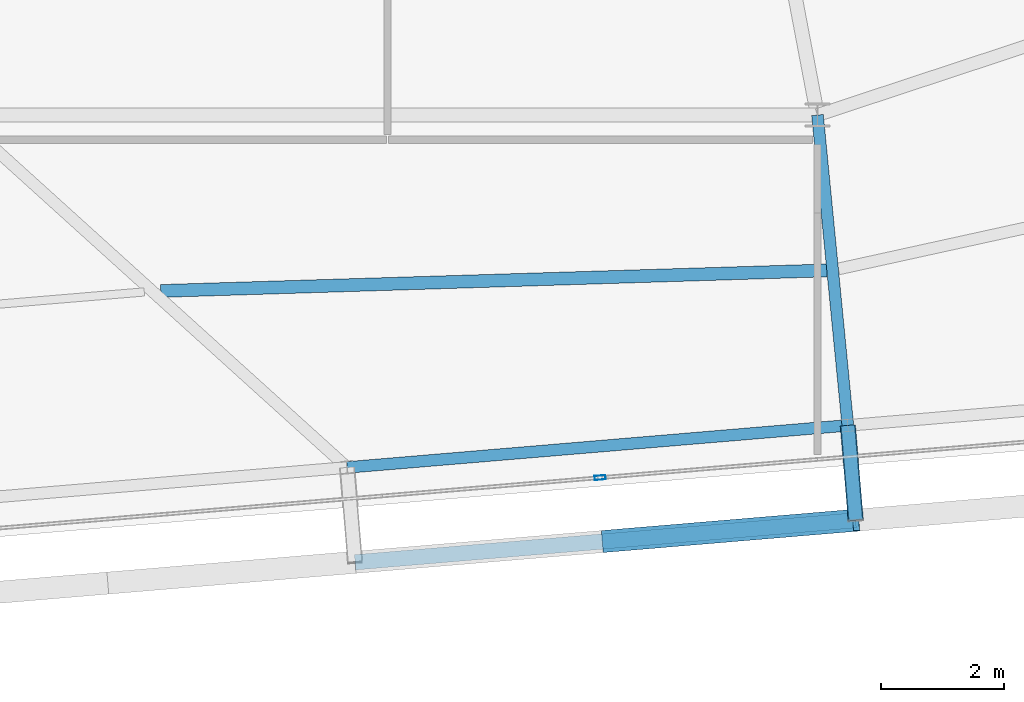
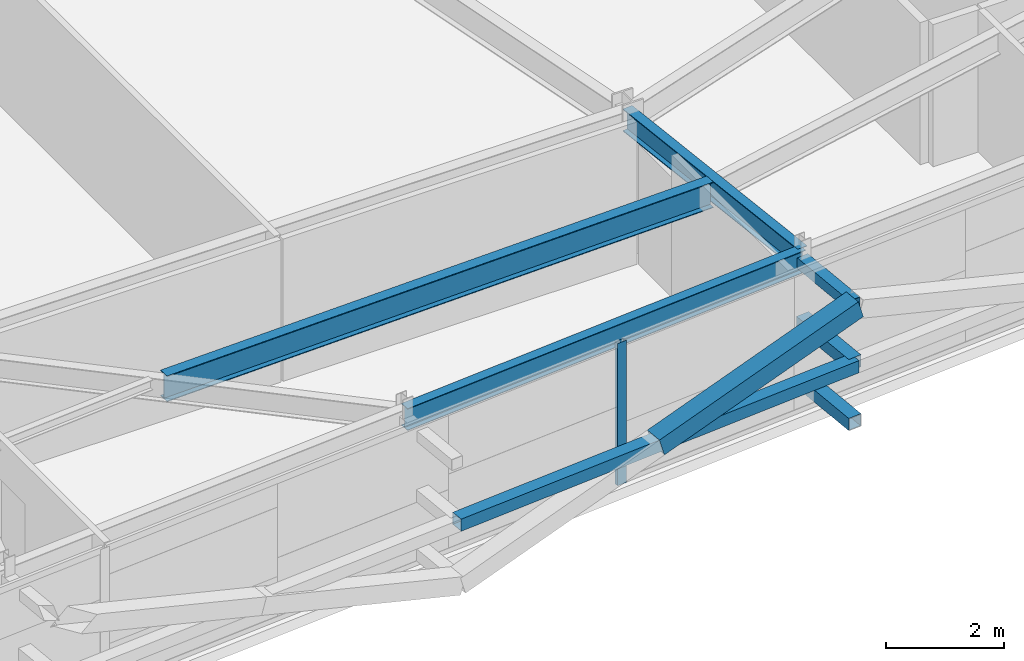
# One storey, part 10 of 39: 6 members, 3 beams, 1 element without a shape of its own.
"""IFC4 building model written with IfcOpenShell, lengths in metres."""

import ifcopenshell
import ifcopenshell.guid

model = None  # the IFC model being written
_history = None  # IfcOwnerHistory: only IFC2X3 demands one
_inside = {}  # id of a spatial element -> (the spatial element, [elements in it])
_under = {}  # id of a project, library or spatial element -> (it, [spatial elements below it])
_declared = {}  # id of a project -> (the project, [libraries it declares])
_typed = {}  # id of a type object -> (the type object, [elements of that type])
_made_of = {}  # id of a material, layer set ... -> (it, [elements and type objects made of it])


def new_model(schema):
    """Start an empty IFC model of exactly this schema.

    Asked for "IFC4X3", IfcOpenShell would pick the latest addendum, in which some entities
    have other attributes; the version numbers below select the first issue.
    IFC2X3 requires an IfcOwnerHistory on every rooted entity: one is made here for all.
    """
    global model, _history
    if schema == "IFC4X3":
        model = ifcopenshell.file(schema_version=(4, 3, 0, 0))
    else:
        model = ifcopenshell.file(schema=schema)
    _inside.clear()
    _under.clear()
    _declared.clear()
    _typed.clear()
    _made_of.clear()
    _history = None
    if model.schema == "IFC2X3":
        org = make("IfcOrganization", Name="unknown")
        user = make(
            "IfcPersonAndOrganization",
            ThePerson=make("IfcPerson", FamilyName="unknown"),
            TheOrganization=org,
        )
        app = make(
            "IfcApplication",
            ApplicationDeveloper=org,
            Version="unknown",
            ApplicationFullName="unknown",
            ApplicationIdentifier="unknown",
        )
        _history = make(
            "IfcOwnerHistory",
            OwningUser=user,
            OwningApplication=app,
            ChangeAction="ADDED",
            CreationDate=0,
        )
    return model


def make(cls, **values):
    """One entity of the class cls with the attributes given. An attribute that is None is left unset."""
    return model.create_entity(
        cls, **{name: value for name, value in values.items() if value is not None}
    )


def rooted(cls, **values):
    """An entity with a GlobalId (a new one), such as an element, a storey or a relation."""
    return make(cls, GlobalId=ifcopenshell.guid.new(), OwnerHistory=_history, **values)


def si_unit(unit_type, name, prefix=None):
    """IfcSIUnit, for example si_unit("LENGTHUNIT", "METRE", prefix="MILLI")."""
    return make("IfcSIUnit", UnitType=unit_type, Prefix=prefix, Name=name)


def assignment(units):
    """IfcUnitAssignment: the units of a project."""
    return None if units is None else make("IfcUnitAssignment", Units=units)


def point(xyz):
    """IfcCartesianPoint."""
    return None if xyz is None else make("IfcCartesianPoint", Coordinates=xyz)


def direction(xyz):
    """IfcDirection."""
    return None if xyz is None else make("IfcDirection", DirectionRatios=xyz)


def frame(location, z_axis=None, x_axis=None):
    """IfcAxis2Placement3D, a coordinate frame: its origin and axes. An axis left out is left unset."""
    return make(
        "IfcAxis2Placement3D",
        Location=point(location),
        Axis=direction(z_axis),
        RefDirection=direction(x_axis),
    )


def frame_2d(location, x_axis=None):
    """IfcAxis2Placement2D, a coordinate frame in the plane: its origin and x axis."""
    return make(
        "IfcAxis2Placement2D", Location=point(location), RefDirection=direction(x_axis)
    )


def origin():
    """The frame at (0, 0, 0) with its axes left unset."""
    return frame((0.0, 0.0, 0.0))


def origin_2d():
    """The frame at (0, 0) in the plane with its x axis left unset."""
    return frame_2d((0.0, 0.0))


def place(relative_to, where):
    """IfcLocalPlacement: puts the frame where relative to a parent placement (None: the world)."""
    return make(
        "IfcLocalPlacement", PlacementRelTo=relative_to, RelativePlacement=where
    )


def context(
    kind, dimensions, precision=None, world=None, true_north=None, identifier=None
):
    """IfcGeometricRepresentationContext, for example the 3D "Model" context."""
    return make(
        "IfcGeometricRepresentationContext",
        ContextIdentifier=identifier,
        ContextType=kind,
        CoordinateSpaceDimension=dimensions,
        Precision=precision,
        WorldCoordinateSystem=world,
        TrueNorth=true_north,
    )


def subcontext(parent, identifier, kind, view, scale=None):
    """IfcGeometricRepresentationSubContext, for example "Body" below "Model"."""
    return make(
        "IfcGeometricRepresentationSubContext",
        ContextIdentifier=identifier,
        ContextType=kind,
        ParentContext=parent,
        TargetScale=scale,
        TargetView=view,
    )


def project(units=None, contexts=None):
    """IfcProject with its units and contexts."""
    return rooted(
        "IfcProject",
        Name="project",
        RepresentationContexts=contexts,
        UnitsInContext=assignment(units),
    )


def spatial(cls, under=None, at=None, **own):
    """A site, building, storey or space (cls), placed at a placement, below another one or the project."""
    s = rooted(cls, ObjectPlacement=at, **own)
    if under is not None:
        _under.setdefault(under.id(), (under, []))[1].append(s)
    return s


def profile(cls, at=None, kind="AREA", **sizes):
    """A parametric profile (cls). Its sizes go by their IFC names, for example OverallWidth=200.0."""
    return make(cls, ProfileType=kind, Position=at, **sizes)


def hollow_rectangle(**sizes):
    """IfcRectangleHollowProfileDef."""
    return profile("IfcRectangleHollowProfileDef", **sizes)


def i_section(**sizes):
    """IfcIShapeProfileDef."""
    return profile("IfcIShapeProfileDef", **sizes)


def extrude(swept, where, along, depth):
    """IfcExtrudedAreaSolid: the profile swept, set in the frame where, extruded along a direction by depth."""
    return make(
        "IfcExtrudedAreaSolid",
        SweptArea=swept,
        Position=where,
        ExtrudedDirection=direction(along),
        Depth=depth,
    )


def shape(context_of_items, identifier, shape_type, items):
    """IfcShapeRepresentation: the items that make up one representation, for example the "Body"."""
    return make(
        "IfcShapeRepresentation",
        ContextOfItems=context_of_items,
        RepresentationIdentifier=identifier,
        RepresentationType=shape_type,
        Items=items,
    )


def source(mapping_origin, context_of_items, identifier, shape_type, items):
    """IfcRepresentationMap: a shape defined once, which mapped items show again and again."""
    return make(
        "IfcRepresentationMap",
        MappingOrigin=mapping_origin,
        MappedRepresentation=shape(context_of_items, identifier, shape_type, items),
    )


def transform(
    local_origin,
    x_axis=None,
    y_axis=None,
    z_axis=None,
    scale=None,
    scale2=None,
    scale3=None,
    uniform=True,
):
    """IfcCartesianTransformationOperator3D, or its non-uniform kind. x_axis, y_axis, z_axis: its Axis1, 2, 3."""
    if uniform:
        return make(
            "IfcCartesianTransformationOperator3D",
            Axis1=direction(x_axis),
            Axis2=direction(y_axis),
            LocalOrigin=point(local_origin),
            Scale=scale,
            Axis3=direction(z_axis),
        )
    return make(
        "IfcCartesianTransformationOperator3DnonUniform",
        Axis1=direction(x_axis),
        Axis2=direction(y_axis),
        LocalOrigin=point(local_origin),
        Scale=scale,
        Axis3=direction(z_axis),
        Scale2=scale2,
        Scale3=scale3,
    )


def mapped(mapping_source, mapping_target):
    """IfcMappedItem: shows the shape of a source again, moved by a transform."""
    return make(
        "IfcMappedItem", MappingSource=mapping_source, MappingTarget=mapping_target
    )


def material(Name=None, Category=None):
    """IfcMaterial."""
    return make("IfcMaterial", Name=Name, Category=Category)


def layer(
    of_material, thickness, ventilated=None, Name=None, Category=None, Priority=None
):
    """IfcMaterialLayer: one layer of a wall or slab, of a material (None: an air gap)."""
    return make(
        "IfcMaterialLayer",
        Material=of_material,
        LayerThickness=thickness,
        IsVentilated=ventilated,
        Name=Name,
        Category=Category,
        Priority=Priority,
    )


def layer_set(layers, Name=None):
    """IfcMaterialLayerSet."""
    return make("IfcMaterialLayerSet", MaterialLayers=layers, LayerSetName=Name)


def material_profile(
    of_material, cross_section, Name=None, Category=None, Priority=None
):
    """IfcMaterialProfile: a cross section and its material."""
    return make(
        "IfcMaterialProfile",
        Name=Name,
        Material=of_material,
        Profile=cross_section,
        Priority=Priority,
        Category=Category,
    )


def profile_set(profiles, Name=None, composite=None):
    """IfcMaterialProfileSet."""
    return make(
        "IfcMaterialProfileSet",
        Name=Name,
        MaterialProfiles=profiles,
        CompositeProfile=composite,
    )


def made_of(thing, what):
    """Note that an element or type object is made of a material, layer set ...; save() writes the relation."""
    if what is not None:
        _made_of.setdefault(what.id(), (what, []))[1].append(thing)
    return thing


def type_object(cls, material=None, **own):
    """A type object (cls), such as IfcWallType, which elements share."""
    return made_of(rooted(cls, **own), material)


def element(
    cls,
    number,
    at=None,
    inside=None,
    cuts=None,
    type_object=None,
    material=None,
    context=None,
    identifier="Body",
    shape_type=None,
    held_by="IfcProductDefinitionShape",
    body=None,
    shapes=None,
    **own,
):
    """One element of the class cls, such as IfcWall. Its Tag is "e" and its number.

    at: its placement. inside: the storey or other place that contains it. cuts: it is an
    opening in that element (IfcRelVoidsElement). A single representation is given by context,
    identifier, shape_type and body (its items); several are given by shapes. held_by: the class
    of the entity that holds the representations. save() writes the other relations.
    """
    e = rooted(cls, Tag="e%d" % number, ObjectPlacement=at, **own)
    if body is not None:
        shapes = [shape(context, identifier, shape_type, body)]
    if shapes is not None:
        e.Representation = make(held_by, Representations=shapes)
    if inside is not None:
        _inside.setdefault(inside.id(), (inside, []))[1].append(e)
    if cuts is not None:
        rooted(
            "IfcRelVoidsElement", RelatingBuildingElement=cuts, RelatedOpeningElement=e
        )
    if type_object is not None:
        _typed.setdefault(type_object.id(), (type_object, []))[1].append(e)
    return made_of(e, material)


def aggregate(whole, parts):
    """IfcRelAggregates: a whole, such as a stair, and the parts it consists of."""
    return rooted("IfcRelAggregates", RelatingObject=whole, RelatedObjects=parts)


def save(model, path):
    """Write the relations noted so far, then the file.

    IfcRelAggregates (storeys below a building ...), IfcRelContainedInSpatialStructure (elements
    in a storey), IfcRelDefinesByType, IfcRelAssociatesMaterial and IfcRelDeclares: one each for
    every whole, place, type object, material and project.
    """
    for whole, parts in _under.values():
        aggregate(whole, parts)
    for where, things in _inside.values():
        rooted(
            "IfcRelContainedInSpatialStructure",
            RelatedElements=things,
            RelatingStructure=where,
        )
    for kind, things in _typed.values():
        rooted("IfcRelDefinesByType", RelatedObjects=things, RelatingType=kind)
    for what, things in _made_of.values():
        rooted("IfcRelAssociatesMaterial", RelatedObjects=things, RelatingMaterial=what)
    for by, libraries in _declared.values():
        rooted("IfcRelDeclares", RelatingContext=by, RelatedDefinitions=libraries)
    model.write(path)


model = new_model("IFC4")

# Units and contexts
model_context = context("Model", 3, precision=1e-05, world=origin(), true_north=direction((0.0, 1.0)))
body_context = subcontext(model_context, "Body", "Model", "MODEL_VIEW")
ifc_project = project(units=[si_unit("LENGTHUNIT", "METRE"), si_unit("AREAUNIT", "SQUARE_METRE"), si_unit("VOLUMEUNIT", "CUBIC_METRE"), si_unit("PLANEANGLEUNIT", "RADIAN"), si_unit("MASSUNIT", "GRAM", prefix="KILO")], contexts=[model_context])

# Site, building, storey
site_placement = place(None, origin())
site = spatial("IfcSite", under=ifc_project, at=site_placement, CompositionType="ELEMENT")
building_placement = place(site_placement, origin())
building = spatial("IfcBuilding", under=site, at=building_placement, Name="Taldren Reach Tower", CompositionType="ELEMENT")
storey_placement = place(building_placement, frame((0.0, 0.0, 197.75)))
storey = spatial("IfcBuildingStorey", under=building, at=storey_placement, Name="L60", CompositionType="ELEMENT", Elevation=197.75)

# Members
ifc_material_1 = material(Name="Steel Gr 350 (C350L0)", Category="steel")
ifc_material_profile_1 = material_profile(ifc_material_1, hollow_rectangle(XDim=0.25, YDim=0.25, WallThickness=0.010009765625, at=origin_2d()), Name="250x250x10.0SHS")
ifc_profile_set_1 = profile_set([ifc_material_profile_1], Name="Steel Gr 350 (C350L0)")
member_type_1 = type_object("IfcMemberType", Name="MB-POST250", PredefinedType="POST", material=ifc_profile_set_1)
shared_shape_1 = source(origin(), body_context, "Body", "SweptSolid", [
    extrude(hollow_rectangle(XDim=0.25, YDim=0.25, WallThickness=0.010009765625, at=origin_2d()), origin(), (0.0, 0.0, 1.0), 1.5498046875),
])
for number, where, z_axis, x_axis, name in (
    (1, (42.49365234375, 4.1474609375, 0.219970703125), (0.083645141657, -0.996495604746, 0.0), (0.996495604746, 0.083645141657, 0.0), "Exoskeleton base diaphragm tie strut B4-S4 L60"),
    (2, (42.49365234375, 4.1474609375, 1.43505859375), (0.083645141657, -0.996495604746, 0.0), (0.996495604746, 0.083645141657, 0.0), "Exoskeleton mid-tier diaphragm tie B4-S4 L60"),
):
    element("IfcMember", number, at=place(storey_placement, frame(where, z_axis=z_axis, x_axis=x_axis)), inside=storey, type_object=member_type_1, Name=name, PredefinedType="POST", context=body_context, shape_type="MappedRepresentation", body=[
        mapped(shared_shape_1, transform((0.0, 0.0, 0.0), scale=1.0)),
    ])

# Beams
ifc_material_2 = material(Name="Steel Gr 350 (350PLUS)", Category="steel")
ifc_material_profile_2 = material_profile(ifc_material_2, i_section(OverallWidth=0.18994140625, OverallDepth=0.4541015625, WebThickness=0.008544921875, FlangeThickness=0.0126953125, at=origin_2d()), Name="460UB67.1")
ifc_profile_set_2 = profile_set([ifc_material_profile_2], Name="Steel Gr 350 (350PLUS)")
beam_type_1 = type_object("IfcBeamType", Name="SP-UB460B", PredefinedType="SPANDREL", material=ifc_profile_set_2)
shared_shape_2 = source(origin(), body_context, "Body", "SweptSolid", [
    extrude(i_section(OverallWidth=0.18994140625, OverallDepth=0.4541015625, WebThickness=0.008544921875, FlangeThickness=0.0126953125, at=origin_2d()), origin(), (0.0, 0.0, 1.0), 8.18017578125),
])
beam_1_placement = place(storey_placement, frame((34.34228515625, 3.462890625, 2.702880859375), z_axis=(0.996492034688, 0.083687662192, 0.0), x_axis=(-0.083687662192, 0.996492034688, 0.0)))
element("IfcBeam", 3, at=beam_1_placement, inside=storey, type_object=beam_type_1, Name="Perimeter spandrel B4 S3-S4 L60", PredefinedType="SPANDREL", context=body_context, shape_type="MappedRepresentation", body=[
    mapped(shared_shape_2, transform((0.0, 0.0, 0.0), scale=1.0)),
])
ifc_material_profile_3 = material_profile(ifc_material_2, i_section(OverallWidth=0.19091796875, OverallDepth=0.4599609375, WebThickness=0.010009765625, FlangeThickness=0.01611328125, at=origin_2d()), Name="460UB82.1")
ifc_profile_set_3 = profile_set([ifc_material_profile_3], Name="Steel Gr 350 (350PLUS)")
beam_type_2 = type_object("IfcBeamType", Name="BM-UB460A", PredefinedType="BEAM", material=ifc_profile_set_3)
shared_shape_3 = source(origin(), body_context, "Body", "SweptSolid", [
    extrude(i_section(OverallWidth=0.19091796875, OverallDepth=0.4599609375, WebThickness=0.010009765625, FlangeThickness=0.01611328125, at=origin_2d()), origin(), (0.0, 0.0, 1.0), 5.07666015625),
])
beam_2_placement = place(storey_placement, frame((42.0, 9.199951171875, 2.699951171875), z_axis=(0.097241716644, -0.995260794236, 0.0), x_axis=(0.995260794236, 0.097241716644, 0.0)))
element("IfcBeam", 4, at=beam_2_placement, inside=storey, type_object=beam_type_2, Name="Primary floor girder B4-S4 L60", PredefinedType="BEAM", context=body_context, shape_type="MappedRepresentation", body=[
    mapped(shared_shape_3, transform((0.0, 0.0, 0.0), scale=1.0)),
])
ifc_material_profile_4 = material_profile(ifc_material_2, i_section(OverallWidth=0.208984375, OverallDepth=0.532958984375, WebThickness=0.01025390625, FlangeThickness=0.015625, at=origin_2d()), Name="530UB92.4")
ifc_profile_set_4 = profile_set([ifc_material_profile_4], Name="Steel Gr 350 (350PLUS)")
beam_type_3 = type_object("IfcBeamType", Name="BM-UB530A", PredefinedType="BEAM", material=ifc_profile_set_4)
shared_shape_4 = source(origin(), body_context, "Body", "SweptSolid", [
    extrude(i_section(OverallWidth=0.208984375, OverallDepth=0.532958984375, WebThickness=0.01025390625, FlangeThickness=0.015625, at=origin_2d()), origin(), (0.0, 0.0, 1.0), 10.847412109375),
])
beam_3_placement = place(storey_placement, frame((31.308837890625, 6.335693359375, 2.66357421875), z_axis=(0.999522428572, 0.030901695439, 0.0), x_axis=(-0.030901695439, 0.999522428572, 0.0)))
element("IfcBeam", 5, at=beam_3_placement, inside=storey, type_object=beam_type_3, Name="Secondary floor beam B4 J3 L60", PredefinedType="BEAM", context=body_context, shape_type="MappedRepresentation", body=[
    mapped(shared_shape_4, transform((0.0, 0.0, 0.0), scale=1.0)),
])

# Members
ifc_material_3 = material(Name="Steel Gr 450 (C450L0)", Category="steel")
ifc_material_profile_5 = material_profile(ifc_material_3, hollow_rectangle(XDim=0.219970703125, YDim=0.219970703125, WallThickness=0.00830078125, at=origin_2d()), Name="220x220x8.2SHS")
ifc_profile_set_5 = profile_set([ifc_material_profile_5], Name="Steel Gr 450 (C450L0)")
member_type_2 = type_object("IfcMemberType", Name="MB-TIE219", PredefinedType="STRUT", material=ifc_profile_set_5)
shared_shape_5 = source(origin(), body_context, "Body", "SweptSolid", [
    extrude(hollow_rectangle(XDim=0.219970703125, YDim=0.219970703125, WallThickness=0.00830078125, at=origin_2d()), origin(), (0.0, 0.0, 1.0), 1.5498046875),
])
member_1_placement = place(storey_placement, frame((42.49365234375, 4.1474609375, 2.64990234375), z_axis=(0.083645141657, -0.996495604746, 0.0), x_axis=(0.996495604746, 0.083645141657, 0.0)))
element("IfcMember", 6, at=member_1_placement, inside=storey, type_object=member_type_2, Name="Exoskeleton diaphragm tie strut B4-S4 L60", PredefinedType="STRUT", context=body_context, shape_type="MappedRepresentation", body=[
    mapped(shared_shape_5, transform((0.0, 0.0, 0.0), scale=1.0)),
])
shared_shape_6 = source(origin(), body_context, "Body", "SweptSolid", [
    extrude(hollow_rectangle(XDim=0.25, YDim=0.25, WallThickness=0.010009765625, at=origin_2d()), origin(), (0.0, 0.0, 1.0), 8.18017578125),
])
member_2_placement = place(storey_placement, frame((34.471923828125, 1.91845703125, 1.43505859375), z_axis=(0.996492034688, 0.083687662192, 0.0), x_axis=(-0.083687662192, 0.996492034688, 0.0)))
element("IfcMember", 7, at=member_2_placement, inside=storey, type_object=member_type_1, Name="Exoskeleton mid-height ring chord B4-S3 L60", PredefinedType="POST", context=body_context, shape_type="MappedRepresentation", body=[
    mapped(shared_shape_6, transform((0.0, 0.0, 0.0), scale=1.0)),
])
ifc_material_profile_6 = material_profile(ifc_material_3, hollow_rectangle(XDim=0.360107421875, YDim=0.360107421875, WallThickness=0.0126953125, at=origin_2d()), Name="360x360x12.7SHS")
ifc_profile_set_6 = profile_set([ifc_material_profile_6], Name="Steel Gr 450 (C450L0)")
member_type_3 = type_object("IfcMemberType", Name="MB-EXO356", PredefinedType="BRACE", material=ifc_profile_set_6)
shared_shape_7 = source(origin(), body_context, "Body", "SweptSolid", [
    extrude(hollow_rectangle(XDim=0.360107421875, YDim=0.360107421875, WallThickness=0.0126953125, at=origin_2d()), origin(), (0.0, 0.0, 1.0), 4.2666015625),
])
member_3_placement = place(storey_placement, frame((38.547607421875, 2.2607421875, 1.43505859375), z_axis=(0.955244723646, 0.080223619417, 0.284730906006), x_axis=(-0.083687662192, 0.996492034688, 0.0)))
element("IfcMember", 8, at=member_3_placement, inside=storey, type_object=member_type_3, Name="Exoskeleton Diagrid Brace B4-S3 L60", PredefinedType="BRACE", context=body_context, shape_type="MappedRepresentation", body=[
    mapped(shared_shape_7, transform((0.0, 0.0, 0.0), scale=1.0)),
])

# Curtain wall, member
ifc_material_4 = material(Name="Aluminium and Low-E Glass Unitised System", Category="aluminium")
ifc_layer = layer(ifc_material_4, 0.159912109375)
ifc_layer_set = layer_set([ifc_layer], Name="Aluminium and Low-E Glass Unitised System")
curtain_wall_type = type_object("IfcCurtainWallType", Name="CW-SYS-5", PredefinedType="NOTDEFINED", material=ifc_layer_set)
curtain_wall_placement = place(storey_placement, origin())
curtain_wall = element("IfcCurtainWall", 9, at=curtain_wall_placement, inside=storey, type_object=curtain_wall_type, Name="Unitised curtain wall CW-L60-S", PredefinedType="NOTDEFINED")
ifc_material_5 = material(Name="Anodised Aluminium 6063-T6", Category="aluminium")
ifc_material_profile_7 = material_profile(ifc_material_5, hollow_rectangle(XDim=0.070068359375, YDim=0.179931640625, WallThickness=0.00390625, at=origin_2d()), Name="ALU-180x70x4RHS")
ifc_profile_set_7 = profile_set([ifc_material_profile_7], Name="Anodised Aluminium 6063-T6")
member_type_4 = type_object("IfcMemberType", Name="CW-MUL-180", PredefinedType="MULLION", material=ifc_profile_set_7)
shared_shape_8 = source(origin(), body_context, "Body", "SweptSolid", [
    extrude(hollow_rectangle(XDim=0.070068359375, YDim=0.179931640625, WallThickness=0.00390625, at=origin_2d()), origin(), (0.0, 0.0, 1.0), 2.929931640625),
])
member_4_placement = place(storey_placement, frame((38.460693359375, 3.297119140625, 0.0), z_axis=(0.0, 0.0, 1.0), x_axis=(-0.083677894865, 0.996492854922, 0.0)))
member_4 = element("IfcMember", 10, at=member_4_placement, type_object=member_type_4, Name="CW-5 mullion 3", PredefinedType="MULLION", context=body_context, shape_type="MappedRepresentation", body=[
    mapped(shared_shape_8, transform((0.0, 0.0, 0.0), scale=1.0)),
])
aggregate(curtain_wall, [member_4])

save(model, "model.ifc")
